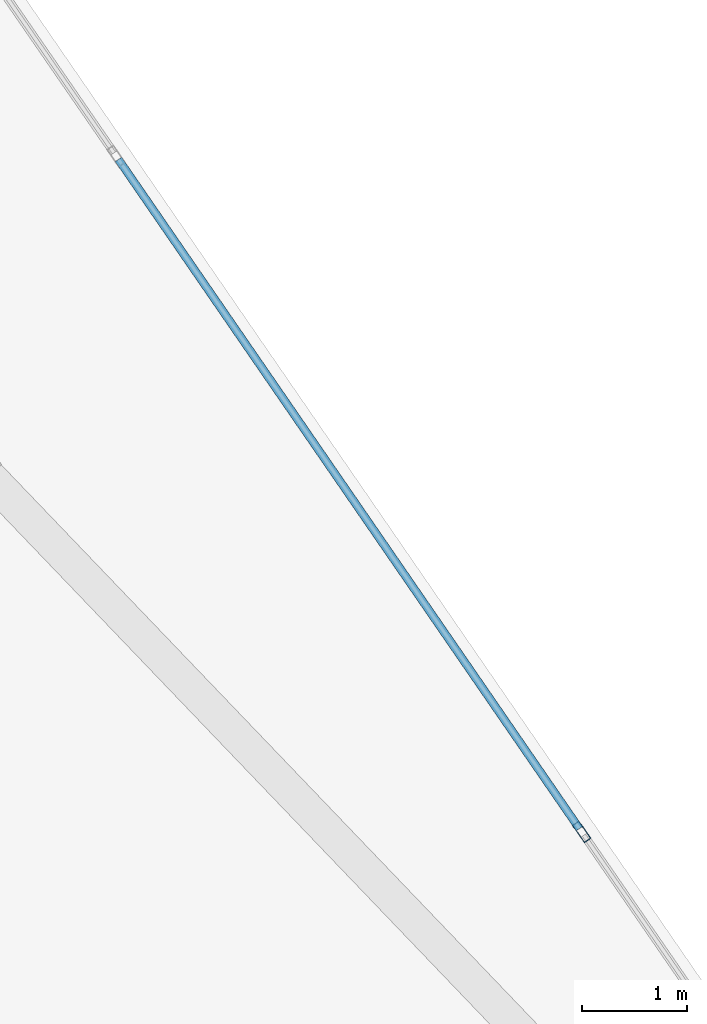
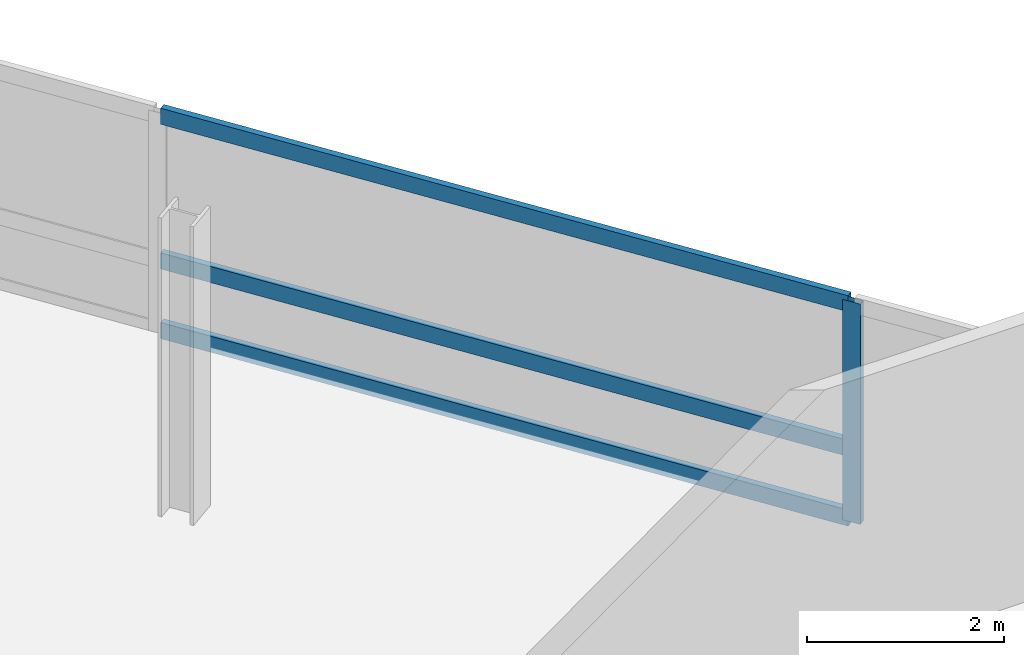
# One storey, part 8 of 21: 4 members, 1 element without a shape of its own.
"""IFC4 building model written with IfcOpenShell, lengths in metres."""

from ifc_helpers import new_model, si_unit, direction, frame, origin, origin_2d, place, context, subcontext, project, spatial, hollow_rectangle, extrude, material, layer, layer_set, material_profile, profile_set, type_object, element, aggregate, save


model = new_model("IFC4")

# Units and contexts
model_context = context("Model", 3, precision=1e-05, world=origin(), true_north=direction((0.0, 1.0)))
body_context = subcontext(model_context, "Body", "Model", "MODEL_VIEW")
ifc_project = project(units=[si_unit("LENGTHUNIT", "METRE"), si_unit("AREAUNIT", "SQUARE_METRE"), si_unit("VOLUMEUNIT", "CUBIC_METRE"), si_unit("PLANEANGLEUNIT", "RADIAN"), si_unit("MASSUNIT", "GRAM", prefix="KILO")], contexts=[model_context])

# Site, building, storey
site_placement = place(None, origin())
site = spatial("IfcSite", under=ifc_project, at=site_placement, CompositionType="ELEMENT")
building_placement = place(site_placement, origin())
building = spatial("IfcBuilding", under=site, at=building_placement, Name="Varnelok Gate Tower", CompositionType="ELEMENT")
storey_placement = place(building_placement, frame((0.0, 0.0, 276.699951171875)))
storey = spatial("IfcBuildingStorey", under=building, at=storey_placement, Name="L71", CompositionType="ELEMENT", Elevation=276.699951171875)

# Curtain wall, members
ifc_material = material(Name="Anodized Aluminum Alloy 6063-T6", Category="aluminium")
ifc_layer = layer(ifc_material, 0.179931640625)
ifc_layer_set = layer_set([ifc_layer], Name="Anodized Aluminum Alloy 6063-T6")
curtain_wall_type = type_object("IfcCurtainWallType", Name="CW4-RESIDENCE-VISION", PredefinedType="USERDEFINED", material=ifc_layer_set)
curtain_wall_placement = place(storey_placement, origin())
curtain_wall = element("IfcCurtainWall", 1, at=curtain_wall_placement, inside=storey, type_object=curtain_wall_type, Name="L71 East End Vision Curtain Wall", ObjectType="UNITISED CURTAIN WALL", PredefinedType="USERDEFINED")
ifc_material_profile_1 = material_profile(ifc_material, hollow_rectangle(XDim=0.074951171875, YDim=0.199951171875, WallThickness=0.00390625, at=origin_2d()), Name="ALU200X75X4")
ifc_profile_set_1 = profile_set([ifc_material_profile_1], Name="Anodized Aluminum Alloy 6063-T6")
member_type_1 = type_object("IfcMemberType", Name="CW-MULL-200", PredefinedType="MULLION", material=ifc_profile_set_1)
member_1_placement = place(storey_placement, frame((66.343505859375, 43.997314453125, 0.0), z_axis=(0.0, 0.0, 1.0), x_axis=(0.823532290241, 0.567269395376, 0.0)))
member_1 = element("IfcMember", 2, at=member_1_placement, type_object=member_type_1, Name="CW4 mullion 3", PredefinedType="MULLION", context=body_context, shape_type="SweptSolid", body=[
    extrude(hollow_rectangle(XDim=0.074951171875, YDim=0.199951171875, WallThickness=0.00390625, at=origin_2d()), origin(), (0.0, 0.0, 1.0), 2.72998046875),
])
ifc_material_profile_2 = material_profile(ifc_material, hollow_rectangle(XDim=0.074951171875, YDim=0.199951171875, WallThickness=0.00390625, at=origin_2d()), Name="ALU200X75X4")
ifc_profile_set_2 = profile_set([ifc_material_profile_2], Name="Anodized Aluminum Alloy 6063-T6")
member_type_2 = type_object("IfcMemberType", Name="CW-TRAN-200", PredefinedType="USERDEFINED", material=ifc_profile_set_2)
member_2_placement = place(storey_placement, frame((61.940185546875, 50.389892578125, 0.03759765625), z_axis=(0.567260941086, -0.823538113701, 0.0), x_axis=(0.823538113701, 0.567260941086, 0.0)))
member_2 = element("IfcMember", 3, at=member_2_placement, type_object=member_type_2, Name="CW4 transom 2.1", ObjectType="TRANSOM", PredefinedType="USERDEFINED", context=body_context, shape_type="SweptSolid", body=[
    extrude(hollow_rectangle(XDim=0.074951171875, YDim=0.199951171875, WallThickness=0.00390625, at=origin_2d()), origin(), (0.0, 0.0, 1.0), 7.72509765625),
])
member_3_placement = place(storey_placement, frame((61.940185546875, 50.389892578125, 0.900146484375), z_axis=(0.567260941086, -0.823538113701, 0.0), x_axis=(0.823538113701, 0.567260941086, 0.0)))
member_3 = element("IfcMember", 4, at=member_3_placement, type_object=member_type_2, Name="CW4 transom 2.2", ObjectType="TRANSOM", PredefinedType="USERDEFINED", context=body_context, shape_type="SweptSolid", body=[
    extrude(hollow_rectangle(XDim=0.074951171875, YDim=0.199951171875, WallThickness=0.00390625, at=origin_2d()), origin(), (0.0, 0.0, 1.0), 7.72509765625),
])
member_4_placement = place(storey_placement, frame((61.940185546875, 50.389892578125, 2.692626953125), z_axis=(0.567260941086, -0.823538113701, 0.0), x_axis=(0.823538113701, 0.567260941086, 0.0)))
member_4 = element("IfcMember", 5, at=member_4_placement, type_object=member_type_2, Name="CW4 transom 2.3", ObjectType="TRANSOM", PredefinedType="USERDEFINED", context=body_context, shape_type="SweptSolid", body=[
    extrude(hollow_rectangle(XDim=0.074951171875, YDim=0.199951171875, WallThickness=0.00390625, at=origin_2d()), origin(), (0.0, 0.0, 1.0), 7.72509765625),
])
aggregate(curtain_wall, [member_1, member_2, member_3, member_4])

save(model, "model.ifc")
